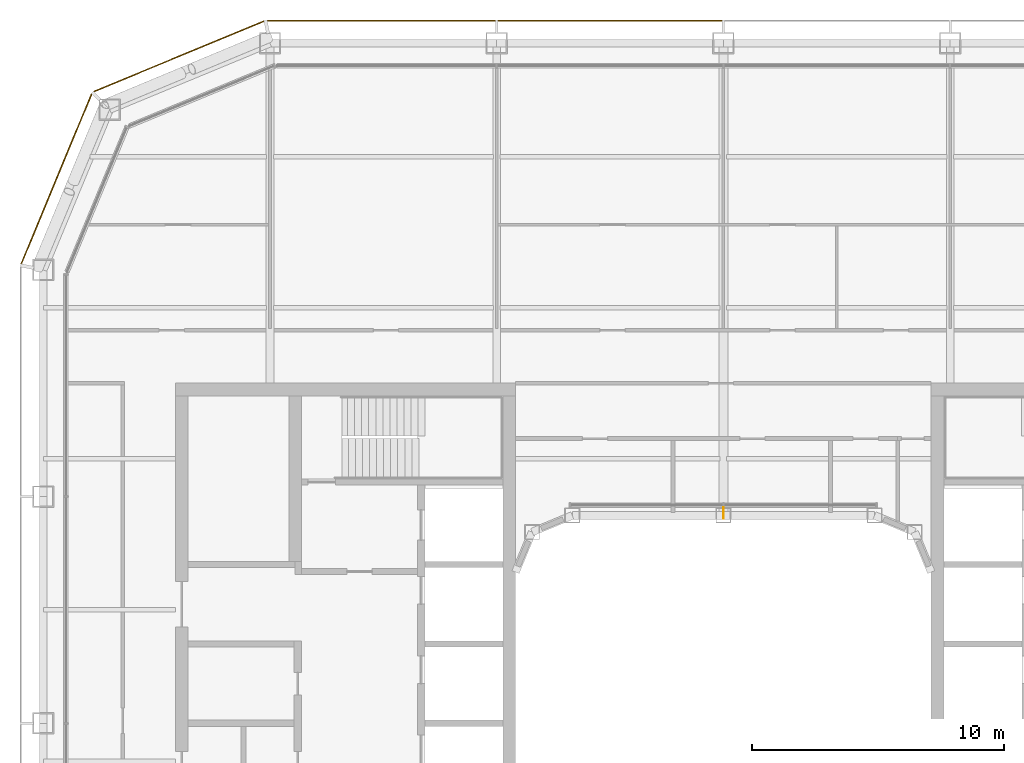
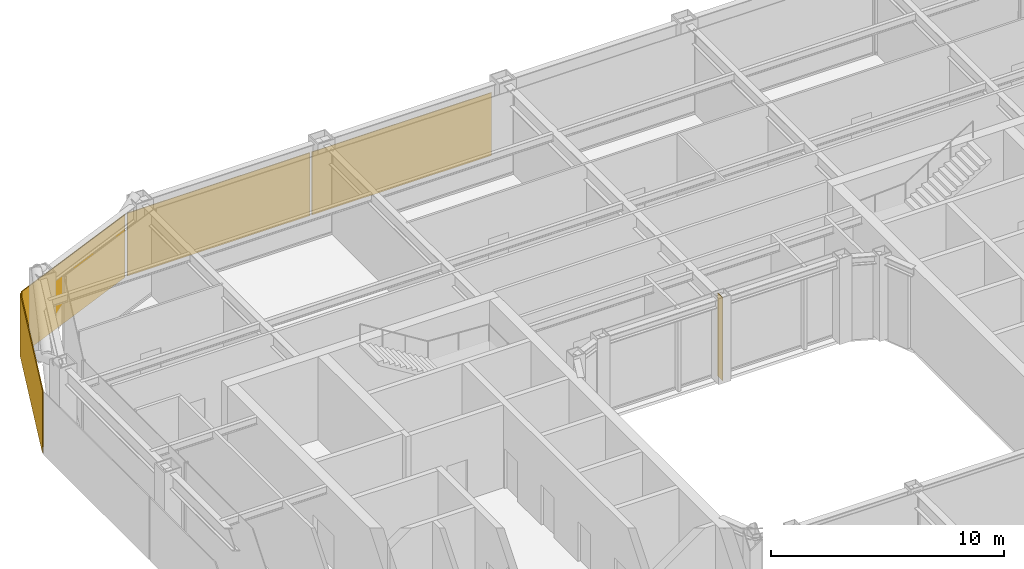
# One storey, part 20 of 22: 4 coverings, 1 shading device.
"""IFC4 building model written with IfcOpenShell, lengths in metres."""

from ifc_helpers import new_model, si_unit, direction, frame, origin, origin_2d, place, context, subcontext, project, spatial, rectangle, extrude, material, layer, layer_set, type_object, element, save


model = new_model("IFC4")

# Units and contexts
model_context = context("Model", 3, precision=1e-05, world=origin(), true_north=direction((0.0, 1.0)))
body_context = subcontext(model_context, "Body", "Model", "MODEL_VIEW")
ifc_project = project(units=[si_unit("LENGTHUNIT", "METRE"), si_unit("AREAUNIT", "SQUARE_METRE"), si_unit("VOLUMEUNIT", "CUBIC_METRE"), si_unit("PLANEANGLEUNIT", "RADIAN"), si_unit("MASSUNIT", "GRAM", prefix="KILO")], contexts=[model_context])

# Site, building, storey
site_placement = place(None, origin())
site = spatial("IfcSite", under=ifc_project, at=site_placement, CompositionType="ELEMENT")
building_placement = place(site_placement, origin())
building = spatial("IfcBuilding", under=site, at=building_placement, Name="Siwar Civic Tower", CompositionType="ELEMENT")
storey_placement = place(building_placement, frame((0.0, 0.0, 201.699951171875)))
storey = spatial("IfcBuildingStorey", under=building, at=storey_placement, Name="L43", CompositionType="ELEMENT", Elevation=201.699951171875)

# Shading device
ifc_material_1 = material(Name="Aluminium 6063-T6", Category="aluminium")
ifc_layer_1 = layer(ifc_material_1, 0.02001953125)
ifc_layer_set_1 = layer_set([ifc_layer_1], Name="Aluminium 6063-T6")
shading_device_type = type_object("IfcShadingDeviceType", Name="ENV-FIN", PredefinedType="JALOUSIE", material=ifc_layer_set_1)
shading_device_placement = place(storey_placement, frame((0.0, 8.344970703125, 0.0), z_axis=(0.0, 0.0, 1.0), x_axis=(-1.0, 0.0, 0.0)))
element("IfcShadingDevice", 1, at=shading_device_placement, inside=storey, type_object=shading_device_type, Name="SUNSHADE fin WN 1", PredefinedType="JALOUSIE", context=body_context, shape_type="SweptSolid", body=[
    extrude(rectangle(XDim=0.02001953125, YDim=0.449951171875, at=origin_2d()), origin(), (0.0, 0.0, 1.0), 4.35009765625),
])

# Coverings
ifc_material_2 = material(Name="Perforated aluminium cassette, pale metal", Category="aluminium")
ifc_layer_2 = layer(ifc_material_2, 0.0400390625)
ifc_layer_set_2 = layer_set([ifc_layer_2], Name="Perforated aluminium cassette, pale metal")
covering_type_1 = type_object("IfcCoveringType", Name="ENV-OUTER SKIN OS-1", PredefinedType="CLADDING", material=ifc_layer_set_2)
covering_1_placement = place(storey_placement, frame((-4.5, 27.89990234375, -0.14990234375), z_axis=(0.0, 0.0, 1.0), x_axis=(-1.0, 0.0, 0.0)))
element("IfcCovering", 2, at=covering_1_placement, inside=storey, type_object=covering_type_1, Name="OUTER SKIN OS-1 N 3", PredefinedType="CLADDING", context=body_context, shape_type="SweptSolid", body=[
    extrude(rectangle(XDim=8.89990234375, YDim=0.0400390625, at=origin_2d()), origin(), (0.0, 0.0, 1.0), 3.300048828125),
])
covering_2_placement = place(storey_placement, frame((-13.57958984375, 27.89990234375, -0.14990234375), z_axis=(0.0, 0.0, 1.0), x_axis=(-1.0, 0.0, 0.0)))
element("IfcCovering", 3, at=covering_2_placement, inside=storey, type_object=covering_type_1, Name="OUTER SKIN OS-1 N 4", PredefinedType="CLADDING", context=body_context, shape_type="SweptSolid", body=[
    extrude(rectangle(XDim=9.05908203125, YDim=0.0400390625, at=origin_2d()), origin(), (0.0, 0.0, 1.0), 3.300048828125),
])
covering_3_placement = place(storey_placement, frame((-21.615966796875, 26.476318359375, -0.14990234375), z_axis=(0.0, 0.0, 1.0), x_axis=(-0.923879532511, -0.382683432365, 0.0)))
element("IfcCovering", 4, at=covering_3_placement, inside=storey, type_object=covering_type_1, Name="OUTER SKIN OS-1 NW1 1", PredefinedType="CLADDING", context=body_context, shape_type="SweptSolid", body=[
    extrude(rectangle(XDim=7.300048828125, YDim=0.0400390625, at=origin_2d()), origin(), (0.0, 0.0, 1.0), 3.300048828125),
])
ifc_material_3 = material(Name="Perforated aluminium cassette, pale metal", Category="aluminium")
ifc_layer_3 = layer(ifc_material_3, 0.044921875)
ifc_layer_set_3 = layer_set([ifc_layer_3], Name="Perforated aluminium cassette, pale metal")
covering_type_2 = type_object("IfcCoveringType", Name="ENV-OUTER SKIN OS-2", PredefinedType="CLADDING", material=ifc_layer_set_3)
covering_4_placement = place(storey_placement, frame((-26.476318359375, 21.615966796875, -0.14990234375), z_axis=(0.0, 0.0, 1.0), x_axis=(-0.382683432365, -0.923879532511, 0.0)))
element("IfcCovering", 5, at=covering_4_placement, inside=storey, type_object=covering_type_2, Name="OUTER SKIN OS-2 NW2 1", PredefinedType="CLADDING", context=body_context, shape_type="SweptSolid", body=[
    extrude(rectangle(XDim=7.300048828125, YDim=0.044921875, at=origin_2d()), origin(), (0.0, 0.0, 1.0), 3.300048828125),
])

save(model, "model.ifc")
